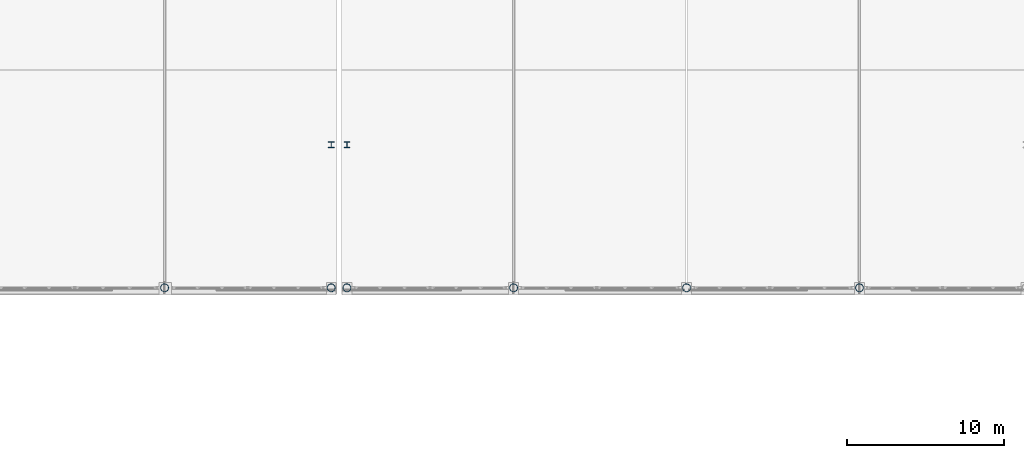
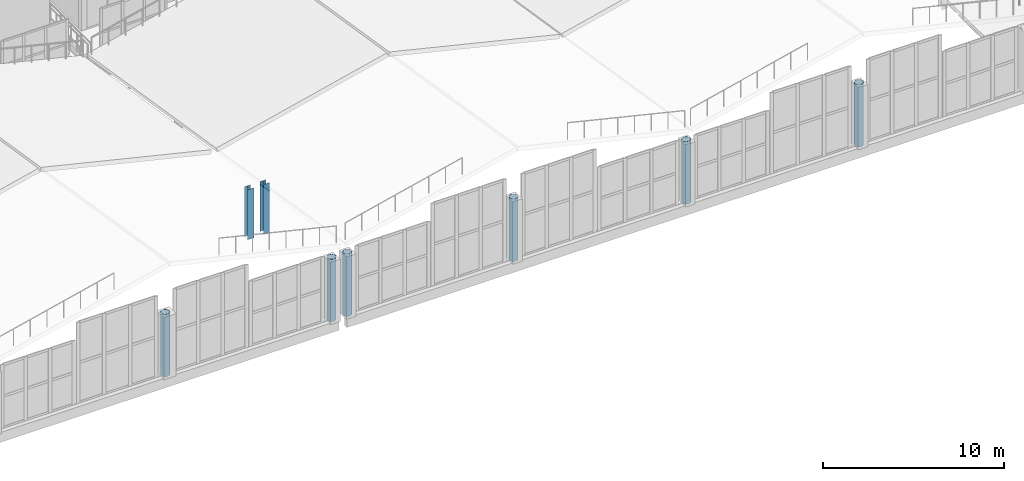
# One storey, part 5 of 120: 8 columns.
"""IFC4 building model written with IfcOpenShell, lengths in metres."""

from ifc_helpers import new_model, si_unit, direction, frame, origin, origin_2d, place, context, subcontext, project, spatial, hollow_circle, i_section, extrude, material, material_profile, profile_set, type_object, element, save


model = new_model("IFC4")

# Units and contexts
model_context = context("Model", 3, precision=1e-05, world=origin(), true_north=direction((0.0, 1.0)))
body_context = subcontext(model_context, "Body", "Model", "MODEL_VIEW")
ifc_project = project(units=[si_unit("LENGTHUNIT", "METRE"), si_unit("AREAUNIT", "SQUARE_METRE"), si_unit("VOLUMEUNIT", "CUBIC_METRE"), si_unit("PLANEANGLEUNIT", "RADIAN"), si_unit("MASSUNIT", "GRAM", prefix="KILO")], contexts=[model_context])

# Site, building, storey
site_placement = place(None, origin())
site = spatial("IfcSite", under=ifc_project, at=site_placement, CompositionType="ELEMENT")
building_placement = place(site_placement, origin())
building = spatial("IfcBuilding", under=site, at=building_placement, Name="Caurita Quay Ferry Terminal", CompositionType="ELEMENT")
storey_placement = place(building_placement, frame((0.0, 0.0, 9.89990234375)))
storey = spatial("IfcBuildingStorey", under=building, at=storey_placement, Name="L02", CompositionType="ELEMENT", Elevation=9.89990234375)

# Columns
ifc_material_1 = material(Name="Hollow structural steel ASTM A500 Gr. C", Category="steel")
ifc_material_profile_1 = material_profile(ifc_material_1, hollow_circle(Radius=0.25390625, WallThickness=0.01171875, at=origin_2d()), Name="HSS20.000X0.500")
ifc_profile_set_1 = profile_set([ifc_material_profile_1], Name="Hollow structural steel ASTM A500 Gr. C")
column_type_1 = type_object("IfcColumnType", Name="COL-MST-01", PredefinedType="COLUMN", material=ifc_profile_set_1)
for number, where, z_axis, x_axis, name in (
    (1, (77.0, 34.60009765625, 0.0), (0.0, 0.0, 1.0), (1.0, 0.0, 0.0), "L02 Column V1-MST-08-S"),
    (2, (87.60009765625, 34.60009765625, 0.0), (0.0, 0.0, 1.0), (1.0, 0.0, 0.0), "L02 Column V1-MST-09-S"),
    (3, (88.60009765625, 34.60009765625, 0.0), (0.0, 0.0, 1.0), (1.0, 0.0, 0.0), "L02 Column V2-MST-10-S"),
    (4, (99.199951171875, 34.60009765625, 0.0), (0.0, 0.0, 1.0), (1.0, 0.0, 0.0), "L02 Column V2-MST-11-S"),
    (5, (110.199951171875, 34.60009765625, 0.0), (0.0, 0.0, 1.0), (1.0, 0.0, 0.0), "L02 Column V2-MST-12-S"),
    (6, (121.199951171875, 34.60009765625, 0.0), (0.0, 0.0, 1.0), (1.0, 0.0, 0.0), "L02 Column V2-MST-13-S"),
):
    element("IfcColumn", number, at=place(storey_placement, frame(where, z_axis=z_axis, x_axis=x_axis)), inside=storey, type_object=column_type_1, Name=name, PredefinedType="COLUMN", context=body_context, shape_type="SweptSolid", body=[
        extrude(hollow_circle(Radius=0.25390625, WallThickness=0.01171875, at=origin_2d()), origin(), (0.0, 0.0, 1.0), 4.2001953125),
    ])
ifc_material_2 = material(Name="Structural steel ASTM A992 Gr. 50", Category="steel")
ifc_material_profile_2 = material_profile(ifc_material_2, i_section(OverallWidth=0.393798828125, OverallDepth=0.3759765625, WebThickness=0.017333984375, FlangeThickness=0.027587890625, FilletRadius=0.017822265625, at=origin_2d()), Name="W14X145")
ifc_profile_set_2 = profile_set([ifc_material_profile_2], Name="Structural steel ASTM A992 Gr. 50")
column_type_2 = type_object("IfcColumnType", Name="COL-STL-06", PredefinedType="COLUMN", material=ifc_profile_set_2)
column_1_placement = place(storey_placement, frame((87.60009765625, 43.699951171875, 0.0), z_axis=(0.0, 0.0, 1.0), x_axis=(1.0, 0.0, 0.0)))
element("IfcColumn", 7, at=column_1_placement, inside=storey, type_object=column_type_2, Name="L02 Column V1-GBL-09-G", PredefinedType="COLUMN", context=body_context, shape_type="SweptSolid", body=[
    extrude(i_section(OverallWidth=0.393798828125, OverallDepth=0.3759765625, WebThickness=0.017333984375, FlangeThickness=0.027587890625, FilletRadius=0.017822265625, at=origin_2d()), origin(), (0.0, 0.0, 1.0), 3.360107421875),
])
ifc_material_profile_3 = material_profile(ifc_material_2, i_section(OverallWidth=0.370849609375, OverallDepth=0.36328125, WebThickness=0.01318359375, FlangeThickness=0.021728515625, FilletRadius=0.017822265625, at=origin_2d()), Name="W14X109")
ifc_profile_set_3 = profile_set([ifc_material_profile_3], Name="Structural steel ASTM A992 Gr. 50")
column_type_3 = type_object("IfcColumnType", Name="COL-STL-08", PredefinedType="COLUMN", material=ifc_profile_set_3)
column_2_placement = place(storey_placement, frame((88.60009765625, 43.699951171875, 0.0), z_axis=(0.0, 0.0, 1.0), x_axis=(1.0, 0.0, 0.0)))
element("IfcColumn", 8, at=column_2_placement, inside=storey, type_object=column_type_3, Name="L02 Column V2-GBL-10-G", PredefinedType="COLUMN", context=body_context, shape_type="SweptSolid", body=[
    extrude(i_section(OverallWidth=0.370849609375, OverallDepth=0.36328125, WebThickness=0.01318359375, FlangeThickness=0.021728515625, FilletRadius=0.017822265625, at=origin_2d()), origin(), (0.0, 0.0, 1.0), 3.360107421875),
])

save(model, "model.ifc")
